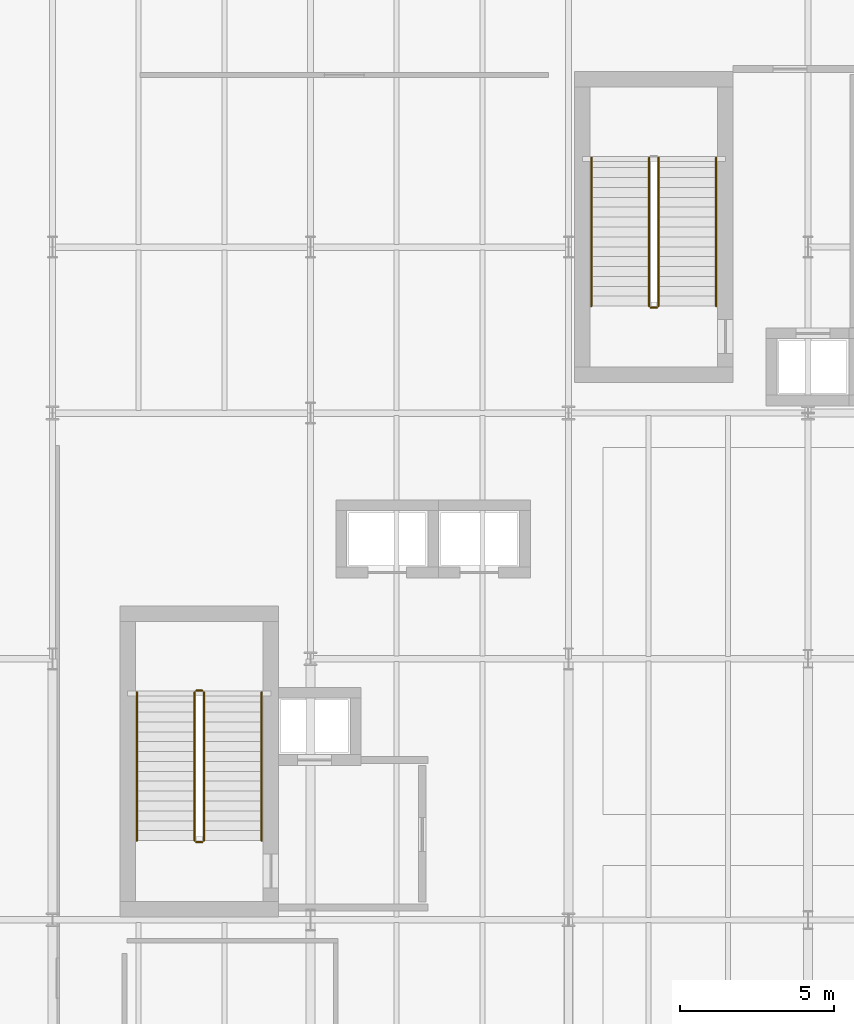
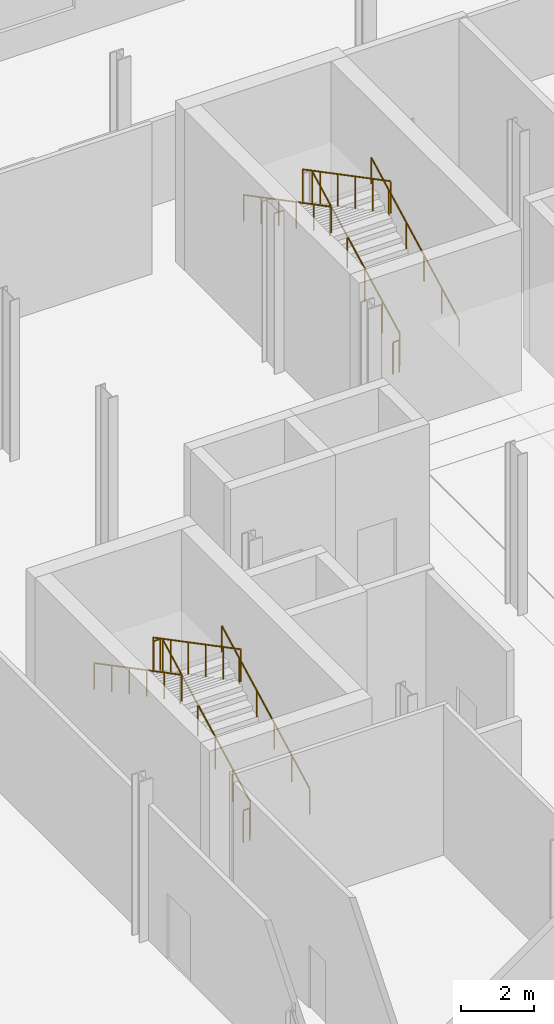
# One storey, part 70 of 78: 11 railings.
"""IFC4 building model written with IfcOpenShell, lengths in metres."""

from ifc_helpers import new_model, si_unit, direction, frame, origin, origin_2d, place, context, subcontext, project, spatial, circle, extrude, material, type_object, element, save


model = new_model("IFC4")

# Units and contexts
model_context = context("Model", 3, precision=1e-05, world=origin(), true_north=direction((0.0, 1.0)))
body_context = subcontext(model_context, "Body", "Model", "MODEL_VIEW")
ifc_project = project(units=[si_unit("LENGTHUNIT", "METRE"), si_unit("AREAUNIT", "SQUARE_METRE"), si_unit("VOLUMEUNIT", "CUBIC_METRE"), si_unit("PLANEANGLEUNIT", "RADIAN"), si_unit("MASSUNIT", "GRAM", prefix="KILO")], contexts=[model_context])

# Site, building, storey
site_placement = place(None, origin())
site = spatial("IfcSite", under=ifc_project, at=site_placement, CompositionType="ELEMENT")
building_placement = place(site_placement, origin())
building = spatial("IfcBuilding", under=site, at=building_placement, Name="Sefraquen Railside Congress Hotel", CompositionType="ELEMENT")
storey_placement = place(building_placement, frame((0.0, 0.0, 6.0)))
storey = spatial("IfcBuildingStorey", under=building, at=storey_placement, Name="L01", CompositionType="ELEMENT", Elevation=6.0)

# Railings
ifc_material = material(Name="Patinated wrought architectural bronze", Category="metal")
railing_type_1 = type_object("IfcRailingType", Name="TRL-BAL-110", PredefinedType="BALUSTRADE", material=ifc_material)
railing_1_placement = place(storey_placement, frame((13.330078125, 82.080078125, 0.168701171875)))
element("IfcRailing", 1, at=railing_1_placement, inside=storey, type_object=railing_type_1, Name="L01 ST-H01 stair guard 1", PredefinedType="BALUSTRADE", context=body_context, shape_type="SweptSolid", body=[
    extrude(circle(Radius=0.02392578125, at=origin_2d()), frame((0.0, 0.0, 1.076171875), z_axis=(0.0, 0.885730736842, 0.464199377222), x_axis=(-1.0, 0.0, 0.0)), (0.0, 0.0, 1.0), 5.452880859375),
    extrude(circle(Radius=0.02099609375, at=origin_2d()), origin(), (0.0, 0.0, 1.0), 1.052001953125),
    extrude(circle(Radius=0.02099609375, at=origin_2d()), frame((0.0, 0.966064453125, 0.50634765625)), (0.0, 0.0, 1.0), 1.052001953125),
    extrude(circle(Radius=0.02099609375, at=origin_2d()), frame((0.0, 1.931884765625, 1.012451171875)), (0.0, 0.0, 1.0), 1.052001953125),
    extrude(circle(Radius=0.02099609375, at=origin_2d()), frame((0.0, 2.89794921875, 1.518798828125)), (0.0, 0.0, 1.0), 1.052001953125),
    extrude(circle(Radius=0.02099609375, at=origin_2d()), frame((0.0, 3.86376953125, 2.02490234375)), (0.0, 0.0, 1.0), 1.052001953125),
    extrude(circle(Radius=0.02099609375, at=origin_2d()), frame((0.0, 4.829833984375, 2.53125)), (0.0, 0.0, 1.0), 1.052001953125),
])
railing_2_placement = place(storey_placement, frame((13.280029296875, 86.9599609375, 2.699951171875)))
element("IfcRailing", 2, at=railing_2_placement, inside=storey, type_object=railing_type_1, Name="L01 ST-H01 stair guard 2", PredefinedType="BALUSTRADE", context=body_context, shape_type="SweptSolid", body=[
    extrude(circle(Radius=0.02392578125, at=origin_2d()), frame((0.0, 0.0, 1.076171875), z_axis=(-1.0, 0.0, 0.0), x_axis=(0.0, -1.0, 0.0)), (0.0, 0.0, 1.0), 0.199951171875),
    extrude(circle(Radius=0.02099609375, at=origin_2d()), origin(), (0.0, 0.0, 1.0), 1.052001953125),
    extrude(circle(Radius=0.02099609375, at=origin_2d()), frame((-0.199951171875, 0.0, 0.0)), (0.0, 0.0, 1.0), 1.052001953125),
])
railing_3_placement = place(storey_placement, frame((13.030029296875, 86.909912109375, 2.86865234375)))
element("IfcRailing", 3, at=railing_3_placement, inside=storey, type_object=railing_type_1, Name="L01 ST-H01 stair guard 3", PredefinedType="BALUSTRADE", context=body_context, shape_type="SweptSolid", body=[
    extrude(circle(Radius=0.02392578125, at=origin_2d()), frame((0.0, 0.0, 1.076171875), z_axis=(0.0, -0.885730736842, 0.464199377222), x_axis=(1.0, 0.0, 0.0)), (0.0, 0.0, 1.0), 5.452880859375),
    extrude(circle(Radius=0.02099609375, at=origin_2d()), origin(), (0.0, 0.0, 1.0), 1.052001953125),
    extrude(circle(Radius=0.02099609375, at=origin_2d()), frame((0.0, -0.966064453125, 0.50634765625)), (0.0, 0.0, 1.0), 1.052001953125),
    extrude(circle(Radius=0.02099609375, at=origin_2d()), frame((0.0, -1.931884765625, 1.012451171875)), (0.0, 0.0, 1.0), 1.052001953125),
    extrude(circle(Radius=0.02099609375, at=origin_2d()), frame((0.0, -2.89794921875, 1.518798828125)), (0.0, 0.0, 1.0), 1.052001953125),
    extrude(circle(Radius=0.02099609375, at=origin_2d()), frame((0.0, -3.86376953125, 2.02490234375)), (0.0, 0.0, 1.0), 1.052001953125),
    extrude(circle(Radius=0.02099609375, at=origin_2d()), frame((0.0, -4.829833984375, 2.53125)), (0.0, 0.0, 1.0), 1.052001953125),
])
railing_4_placement = place(storey_placement, frame((13.280029296875, 82.030029296875, 0.0)))
element("IfcRailing", 4, at=railing_4_placement, inside=storey, type_object=railing_type_1, Name="L01 ST-H01 stair guard 4", PredefinedType="BALUSTRADE", context=body_context, shape_type="SweptSolid", body=[
    extrude(circle(Radius=0.02392578125, at=origin_2d()), frame((0.0, 0.0, 1.076171875), z_axis=(-1.0, 0.0, 0.0), x_axis=(0.0, -1.0, 0.0)), (0.0, 0.0, 1.0), 0.199951171875),
    extrude(circle(Radius=0.02099609375, at=origin_2d()), origin(), (0.0, 0.0, 1.0), 1.052001953125),
    extrude(circle(Radius=0.02099609375, at=origin_2d()), frame((-0.199951171875, 0.0, 0.0)), (0.0, 0.0, 1.0), 1.052001953125),
])
railing_5_placement = place(storey_placement, frame((28.1298828125, 99.47998046875, 0.168701171875)))
element("IfcRailing", 5, at=railing_5_placement, inside=storey, type_object=railing_type_1, Name="L01 ST-H02 stair guard 1", PredefinedType="BALUSTRADE", context=body_context, shape_type="SweptSolid", body=[
    extrude(circle(Radius=0.02392578125, at=origin_2d()), frame((0.0, 0.0, 1.076171875), z_axis=(0.0, 0.885740383855, 0.46418096946), x_axis=(-1.0, 0.0, 0.0)), (0.0, 0.0, 1.0), 5.453125),
    extrude(circle(Radius=0.02099609375, at=origin_2d()), origin(), (0.0, 0.0, 1.0), 1.052001953125),
    extrude(circle(Radius=0.02099609375, at=origin_2d()), frame((0.0, 0.966064453125, 0.50634765625)), (0.0, 0.0, 1.0), 1.052001953125),
    extrude(circle(Radius=0.02099609375, at=origin_2d()), frame((0.0, 1.93212890625, 1.012451171875)), (0.0, 0.0, 1.0), 1.052001953125),
    extrude(circle(Radius=0.02099609375, at=origin_2d()), frame((0.0, 2.89794921875, 1.518798828125)), (0.0, 0.0, 1.0), 1.052001953125),
    extrude(circle(Radius=0.02099609375, at=origin_2d()), frame((0.0, 3.864013671875, 2.02490234375)), (0.0, 0.0, 1.0), 1.052001953125),
    extrude(circle(Radius=0.02099609375, at=origin_2d()), frame((0.0, 4.830078125, 2.53125)), (0.0, 0.0, 1.0), 1.052001953125),
])
railing_6_placement = place(storey_placement, frame((27.830078125, 104.31005859375, 2.86865234375)))
element("IfcRailing", 6, at=railing_6_placement, inside=storey, type_object=railing_type_1, Name="L01 ST-H02 stair guard 3", PredefinedType="BALUSTRADE", context=body_context, shape_type="SweptSolid", body=[
    extrude(circle(Radius=0.02392578125, at=origin_2d()), frame((0.0, 0.0, 1.076171875), z_axis=(0.0, -0.885740383855, 0.46418096946), x_axis=(1.0, 0.0, 0.0)), (0.0, 0.0, 1.0), 5.453125),
    extrude(circle(Radius=0.02099609375, at=origin_2d()), origin(), (0.0, 0.0, 1.0), 1.052001953125),
    extrude(circle(Radius=0.02099609375, at=origin_2d()), frame((0.0, -0.966064453125, 0.50634765625)), (0.0, 0.0, 1.0), 1.052001953125),
    extrude(circle(Radius=0.02099609375, at=origin_2d()), frame((0.0, -1.93212890625, 1.012451171875)), (0.0, 0.0, 1.0), 1.052001953125),
    extrude(circle(Radius=0.02099609375, at=origin_2d()), frame((0.0, -2.89794921875, 1.518798828125)), (0.0, 0.0, 1.0), 1.052001953125),
    extrude(circle(Radius=0.02099609375, at=origin_2d()), frame((0.0, -3.864013671875, 2.02490234375)), (0.0, 0.0, 1.0), 1.052001953125),
    extrude(circle(Radius=0.02099609375, at=origin_2d()), frame((0.0, -4.830078125, 2.53125)), (0.0, 0.0, 1.0), 1.052001953125),
])
railing_7_placement = place(storey_placement, frame((28.080078125, 99.429931640625, 0.0)))
element("IfcRailing", 7, at=railing_7_placement, inside=storey, type_object=railing_type_1, Name="L01 ST-H02 stair guard 4", PredefinedType="BALUSTRADE", context=body_context, shape_type="SweptSolid", body=[
    extrude(circle(Radius=0.02392578125, at=origin_2d()), frame((0.0, 0.0, 1.076171875), z_axis=(-1.0, 0.0, 0.0), x_axis=(0.0, -1.0, 0.0)), (0.0, 0.0, 1.0), 0.2001953125),
    extrude(circle(Radius=0.02099609375, at=origin_2d()), origin(), (0.0, 0.0, 1.0), 1.052001953125),
    extrude(circle(Radius=0.02099609375, at=origin_2d()), frame((-0.2001953125, 0.0, 0.0)), (0.0, 0.0, 1.0), 1.052001953125),
])
railing_type_2 = type_object("IfcRailingType", Name="TRL-HR-090", PredefinedType="HANDRAIL", material=ifc_material)
railing_8_placement = place(storey_placement, frame((15.2099609375, 82.080078125, 0.168701171875)))
element("IfcRailing", 8, at=railing_8_placement, inside=storey, type_object=railing_type_2, Name="L01 ST-H01 stair handrail 1", PredefinedType="HANDRAIL", context=body_context, shape_type="SweptSolid", body=[
    extrude(circle(Radius=0.02392578125, at=origin_2d()), frame((0.0, 0.0, 0.8759765625), z_axis=(0.0, 0.885730736842, 0.464199377222), x_axis=(-1.0, 0.0, 0.0)), (0.0, 0.0, 1.0), 5.452880859375),
    extrude(circle(Radius=0.02099609375, at=origin_2d()), origin(), (0.0, 0.0, 1.0), 0.851806640625),
    extrude(circle(Radius=0.02099609375, at=origin_2d()), frame((0.0, 0.966064453125, 0.50634765625)), (0.0, 0.0, 1.0), 0.851806640625),
    extrude(circle(Radius=0.02099609375, at=origin_2d()), frame((0.0, 1.931884765625, 1.012451171875)), (0.0, 0.0, 1.0), 0.851806640625),
    extrude(circle(Radius=0.02099609375, at=origin_2d()), frame((0.0, 2.89794921875, 1.518798828125)), (0.0, 0.0, 1.0), 0.851806640625),
    extrude(circle(Radius=0.02099609375, at=origin_2d()), frame((0.0, 3.86376953125, 2.02490234375)), (0.0, 0.0, 1.0), 0.851806640625),
    extrude(circle(Radius=0.02099609375, at=origin_2d()), frame((0.0, 4.829833984375, 2.53125)), (0.0, 0.0, 1.0), 0.851806640625),
])
railing_9_placement = place(storey_placement, frame((11.14990234375, 86.909912109375, 2.86865234375)))
element("IfcRailing", 9, at=railing_9_placement, inside=storey, type_object=railing_type_2, Name="L01 ST-H01 stair handrail 2", PredefinedType="HANDRAIL", context=body_context, shape_type="SweptSolid", body=[
    extrude(circle(Radius=0.02392578125, at=origin_2d()), frame((0.0, 0.0, 0.8759765625), z_axis=(0.0, -0.885730736842, 0.464199377222), x_axis=(1.0, 0.0, 0.0)), (0.0, 0.0, 1.0), 5.452880859375),
    extrude(circle(Radius=0.02099609375, at=origin_2d()), origin(), (0.0, 0.0, 1.0), 0.851806640625),
    extrude(circle(Radius=0.02099609375, at=origin_2d()), frame((0.0, -0.966064453125, 0.50634765625)), (0.0, 0.0, 1.0), 0.851806640625),
    extrude(circle(Radius=0.02099609375, at=origin_2d()), frame((0.0, -1.931884765625, 1.012451171875)), (0.0, 0.0, 1.0), 0.851806640625),
    extrude(circle(Radius=0.02099609375, at=origin_2d()), frame((0.0, -2.89794921875, 1.518798828125)), (0.0, 0.0, 1.0), 0.851806640625),
    extrude(circle(Radius=0.02099609375, at=origin_2d()), frame((0.0, -3.86376953125, 2.02490234375)), (0.0, 0.0, 1.0), 0.851806640625),
    extrude(circle(Radius=0.02099609375, at=origin_2d()), frame((0.0, -4.829833984375, 2.53125)), (0.0, 0.0, 1.0), 0.851806640625),
])
railing_10_placement = place(storey_placement, frame((30.010009765625, 99.47998046875, 0.168701171875)))
element("IfcRailing", 10, at=railing_10_placement, inside=storey, type_object=railing_type_2, Name="L01 ST-H02 stair handrail 1", PredefinedType="HANDRAIL", context=body_context, shape_type="SweptSolid", body=[
    extrude(circle(Radius=0.02392578125, at=origin_2d()), frame((0.0, 0.0, 0.8759765625), z_axis=(0.0, 0.885740383855, 0.46418096946), x_axis=(-1.0, 0.0, 0.0)), (0.0, 0.0, 1.0), 5.453125),
    extrude(circle(Radius=0.02099609375, at=origin_2d()), origin(), (0.0, 0.0, 1.0), 0.851806640625),
    extrude(circle(Radius=0.02099609375, at=origin_2d()), frame((0.0, 0.966064453125, 0.50634765625)), (0.0, 0.0, 1.0), 0.851806640625),
    extrude(circle(Radius=0.02099609375, at=origin_2d()), frame((0.0, 1.93212890625, 1.012451171875)), (0.0, 0.0, 1.0), 0.851806640625),
    extrude(circle(Radius=0.02099609375, at=origin_2d()), frame((0.0, 2.89794921875, 1.518798828125)), (0.0, 0.0, 1.0), 0.851806640625),
    extrude(circle(Radius=0.02099609375, at=origin_2d()), frame((0.0, 3.864013671875, 2.02490234375)), (0.0, 0.0, 1.0), 0.851806640625),
    extrude(circle(Radius=0.02099609375, at=origin_2d()), frame((0.0, 4.830078125, 2.53125)), (0.0, 0.0, 1.0), 0.851806640625),
])
railing_11_placement = place(storey_placement, frame((25.949951171875, 104.31005859375, 2.86865234375)))
element("IfcRailing", 11, at=railing_11_placement, inside=storey, type_object=railing_type_2, Name="L01 ST-H02 stair handrail 2", PredefinedType="HANDRAIL", context=body_context, shape_type="SweptSolid", body=[
    extrude(circle(Radius=0.02392578125, at=origin_2d()), frame((0.0, 0.0, 0.8759765625), z_axis=(0.0, -0.885740383855, 0.46418096946), x_axis=(1.0, 0.0, 0.0)), (0.0, 0.0, 1.0), 5.453125),
    extrude(circle(Radius=0.02099609375, at=origin_2d()), origin(), (0.0, 0.0, 1.0), 0.851806640625),
    extrude(circle(Radius=0.02099609375, at=origin_2d()), frame((0.0, -0.966064453125, 0.50634765625)), (0.0, 0.0, 1.0), 0.851806640625),
    extrude(circle(Radius=0.02099609375, at=origin_2d()), frame((0.0, -1.93212890625, 1.012451171875)), (0.0, 0.0, 1.0), 0.851806640625),
    extrude(circle(Radius=0.02099609375, at=origin_2d()), frame((0.0, -2.89794921875, 1.518798828125)), (0.0, 0.0, 1.0), 0.851806640625),
    extrude(circle(Radius=0.02099609375, at=origin_2d()), frame((0.0, -3.864013671875, 2.02490234375)), (0.0, 0.0, 1.0), 0.851806640625),
    extrude(circle(Radius=0.02099609375, at=origin_2d()), frame((0.0, -4.830078125, 2.53125)), (0.0, 0.0, 1.0), 0.851806640625),
])

save(model, "model.ifc")
